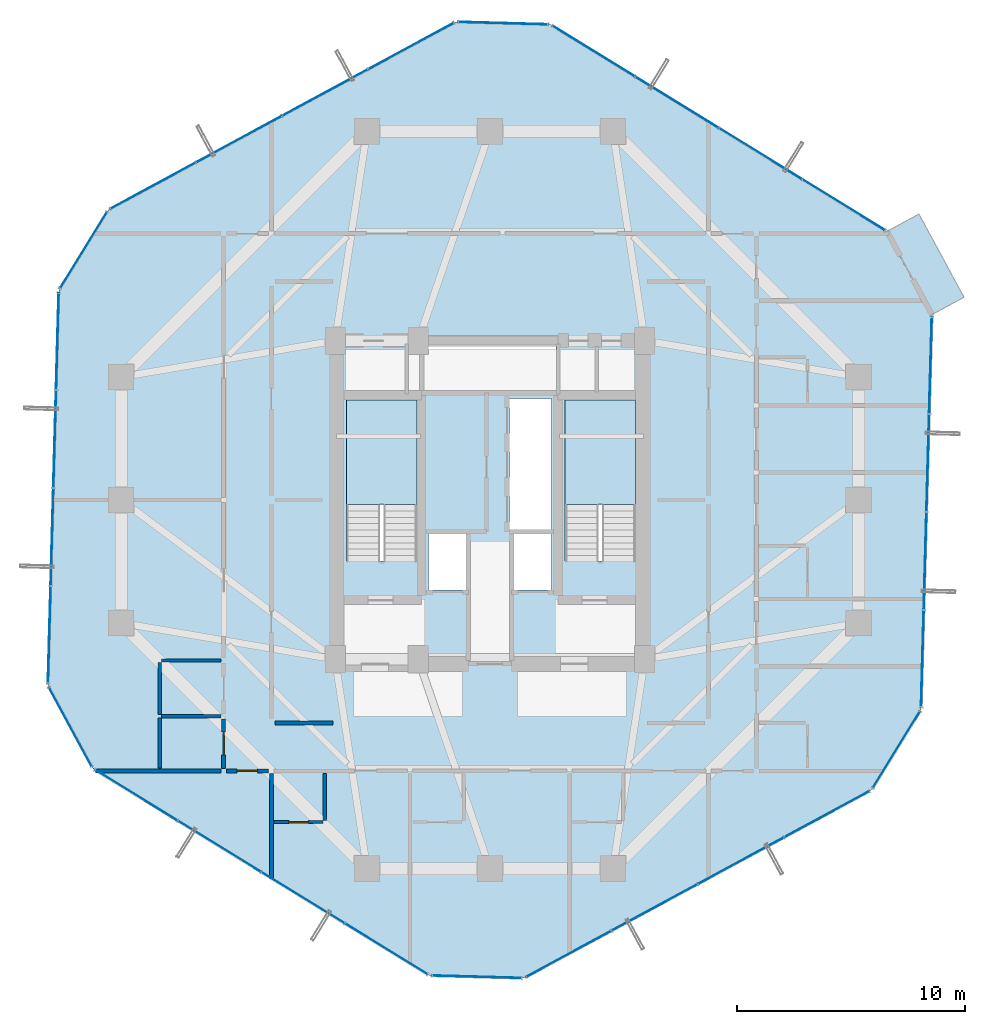
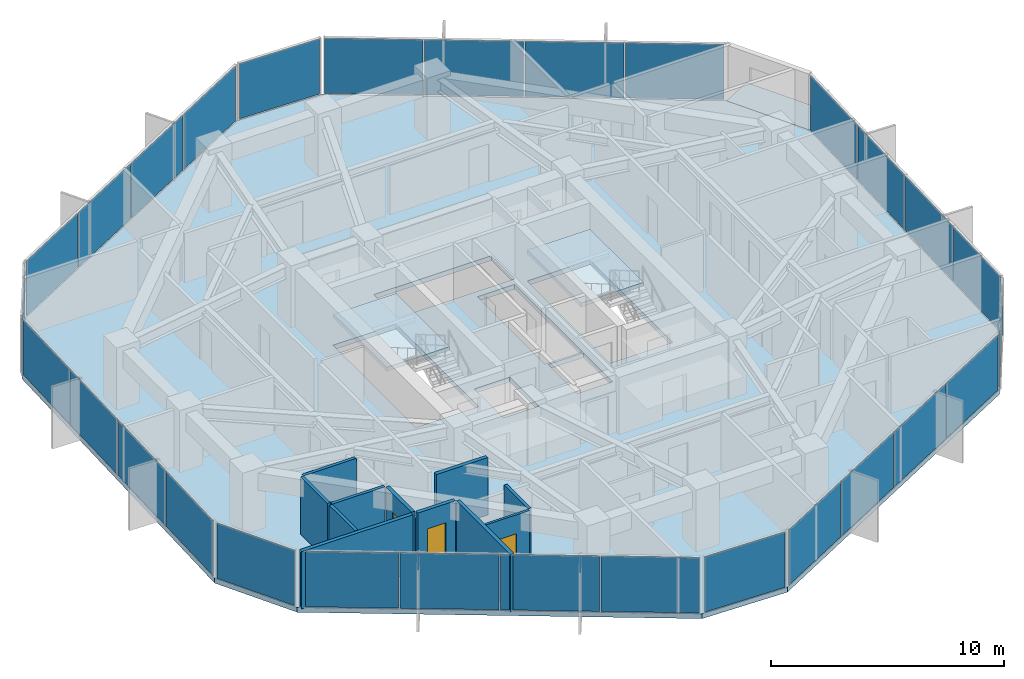
# One storey, part 25 of 30: 29 plates, 11 walls, 4 slabs, 3 doors, 3 openings, 13 elements without a shape of their own.
"""IFC4 building model written with IfcOpenShell, lengths in metres."""

from ifc_helpers import new_model, si_unit, direction, frame, frame_2d, origin, origin_2d, place, context, subcontext, project, spatial, polyline, rectangle, outline, extrude, source, transform, mapped, material, layer, layer_set, type_object, element, fill, aggregate, save


model = new_model("IFC4")

# Units and contexts
model_context = context("Model", 3, precision=1e-05, world=origin(), true_north=direction((0.0, 1.0)))
body_context = subcontext(model_context, "Body", "Model", "MODEL_VIEW")
ifc_project = project(units=[si_unit("LENGTHUNIT", "METRE"), si_unit("AREAUNIT", "SQUARE_METRE"), si_unit("VOLUMEUNIT", "CUBIC_METRE"), si_unit("PLANEANGLEUNIT", "RADIAN"), si_unit("MASSUNIT", "GRAM", prefix="KILO")], contexts=[model_context])

# Site, building, storey
site_placement = place(None, origin())
site = spatial("IfcSite", under=ifc_project, at=site_placement, CompositionType="ELEMENT")
building_placement = place(site_placement, origin())
building = spatial("IfcBuilding", under=site, at=building_placement, Name="Veraguas Prism Commons", CompositionType="ELEMENT")
storey_placement = place(building_placement, frame((0.0, 0.0, 123.0)))
storey = spatial("IfcBuildingStorey", under=building, at=storey_placement, Name="L34", CompositionType="ELEMENT", Elevation=123.0)

# Stair, slab
ifc_material_1 = material(Name="Precast concrete C45/55", Category="concrete")
stair_type = type_object("IfcStairType", Name="Dogleg Core Stair 1480W 20R 05", PredefinedType="HALF_TURN_STAIR", material=ifc_material_1)
stair_1_placement = place(storey_placement, origin())
stair_1 = element("IfcStair", 1, at=stair_1_placement, inside=storey, type_object=stair_type, Name="Protected Exit Stair ST-01 L34", PredefinedType="HALF_TURN_STAIR")
ifc_layer_1 = layer(ifc_material_1, 0.199951171875, Name="Precast Stair and Ramp Landing Slab 200", Category="concrete")
ifc_layer_set_1 = layer_set([ifc_layer_1], Name="Precast concrete C45/55")
slab_type_1 = type_object("IfcSlabType", Name="Precast Stair and Ramp Landing Slab 200", PredefinedType="LANDING", material=ifc_layer_set_1)
slab_1_placement = place(storey_placement, frame((0.0, 0.0, 1.425048828125)))
slab_1 = element("IfcSlab", 2, at=slab_1_placement, type_object=slab_type_1, Name="ST-05 Landing 1", PredefinedType="LANDING", context=body_context, shape_type="SweptSolid", body=[
    extrude(outline(polyline([(20.800048828125, 23.800048828125), (20.800048828125, 28.39990234375), (17.68994140625, 28.39990234375), (17.68994140625, 23.800048828125), (20.800048828125, 23.800048828125)])), origin(), (0.0, 0.0, 1.0), 0.199951171875),
])
aggregate(stair_1, [slab_1])

stair_2_placement = place(storey_placement, origin())
stair_2 = element("IfcStair", 3, at=stair_2_placement, inside=storey, type_object=stair_type, Name="Protected Exit Stair ST-02 L34", PredefinedType="HALF_TURN_STAIR")
slab_2_placement = place(storey_placement, frame((0.0, 0.0, 1.425048828125)))
slab_2 = element("IfcSlab", 4, at=slab_2_placement, type_object=slab_type_1, Name="ST-05 Landing 1", PredefinedType="LANDING", context=body_context, shape_type="SweptSolid", body=[
    extrude(outline(polyline([(30.39990234375, 23.800048828125), (30.39990234375, 28.39990234375), (27.2900390625, 28.39990234375), (27.2900390625, 23.800048828125), (30.39990234375, 23.800048828125)])), origin(), (0.0, 0.0, 1.0), 0.199951171875),
])
aggregate(stair_2, [slab_2])

# Slabs
ifc_material_2 = material(Name="Concrete C45/55", Category="concrete")
ifc_layer_2 = layer(ifc_material_2, 0.219970703125, Name="Recessed Loggia and Terrace Slab RC 220", Category="concrete")
ifc_layer_set_2 = layer_set([ifc_layer_2], Name="Concrete C45/55")
slab_type_2 = type_object("IfcSlabType", Name="Recessed Loggia and Terrace Slab RC 220", PredefinedType="FLOOR", material=ifc_layer_set_2)
slab_3_placement = place(storey_placement, frame((0.0, 0.0, -0.219970703125)))
element("IfcSlab", 5, at=slab_3_placement, inside=storey, type_object=slab_type_2, Name="Recessed Corner Loggia L34-C1", PredefinedType="FLOOR", context=body_context, shape_type="SweptSolid", body=[
    extrude(outline(polyline([(43.396728515625, 32.135498046875), (44.821533203125, 32.906494140625), (42.844970703125, 36.55908203125), (41.420166015625, 35.7880859375), (43.396728515625, 32.135498046875)])), origin(), (0.0, 0.0, 1.0), 0.219970703125),
])
ifc_layer_3 = layer(ifc_material_2, 0.25, Name="Tower Lower Residential Floor Slab RC 250", Category="concrete")
ifc_layer_set_3 = layer_set([ifc_layer_3], Name="Concrete C45/55")
slab_type_3 = type_object("IfcSlabType", Name="Tower Lower Residential Floor Slab RC 250", PredefinedType="FLOOR", material=ifc_layer_set_3)
slab_4_placement = place(storey_placement, frame((0.0, 0.0, -0.25)))
element("IfcSlab", 6, at=slab_4_placement, inside=storey, type_object=slab_type_3, Name="Tower Floor Slab L34", PredefinedType="FLOOR", context=body_context, shape_type="SweptSolid", body=[
    extrude(outline(polyline([(43.414306640625, 32.14501953125), (41.437744140625, 35.797607421875), (26.653564453125, 44.885986328125), (22.501953125, 45.00048828125), (7.239013671875, 36.740966796875), (5.064208984375, 33.202880859375), (4.585693359375, 15.85498046875), (6.562255859375, 12.202392578125), (21.346435546875, 3.114013671875), (25.498046875, 2.99951171875), (40.760986328125, 11.259033203125), (42.935791015625, 14.797119140625), (43.414306640625, 32.14501953125)]), holes=[polyline([(20.800048828125, 21.31005859375), (20.800048828125, 28.39990234375), (17.68994140625, 28.39990234375), (17.68994140625, 21.31005859375), (20.800048828125, 21.31005859375)]), polyline([(30.39990234375, 21.31005859375), (30.39990234375, 28.39990234375), (27.2900390625, 28.39990234375), (27.2900390625, 21.31005859375), (30.39990234375, 21.31005859375)]), polyline([(24.85009765625, 22.64990234375), (26.699951171875, 22.64990234375), (26.699951171875, 28.449951171875), (24.85009765625, 28.449951171875), (24.85009765625, 22.64990234375)]), polyline([(21.10009765625, 28.800048828125), (26.89990234375, 28.800048828125), (26.89990234375, 30.800048828125), (21.10009765625, 30.800048828125), (21.10009765625, 28.800048828125)]), polyline([(21.300048828125, 20.050048828125), (23.050048828125, 20.050048828125), (23.050048828125, 22.550048828125), (21.300048828125, 22.550048828125), (21.300048828125, 20.050048828125)]), polyline([(24.949951171875, 20.050048828125), (26.699951171875, 20.050048828125), (26.699951171875, 22.550048828125), (24.949951171875, 22.550048828125), (24.949951171875, 20.050048828125)])]), origin(), (0.0, 0.0, 1.0), 0.25),
])

# Curtain wall, plates
ifc_material_3 = material(Name="Anodised aluminium EN AW-6063 T6", Category="aluminium")
ifc_layer_4 = layer(ifc_material_3, 0.169921875, Name="Unitised Flush Curtain Wall Zone 2", Category="aluminium")
ifc_layer_set_4 = layer_set([ifc_layer_4], Name="Anodised aluminium EN AW-6063 T6")
curtain_wall_type = type_object("IfcCurtainWallType", Name="Unitised Flush Curtain Wall Zone 2", PredefinedType="NOTDEFINED", material=ifc_layer_set_4)
curtain_wall_1_placement = place(storey_placement, origin())
curtain_wall_1 = element("IfcCurtainWall", 7, at=curtain_wall_1_placement, inside=storey, type_object=curtain_wall_type, Name="Tower Facade Curtain Wall L34-F1", PredefinedType="NOTDEFINED")
ifc_material_4 = material(Name="Laminated low-e glass", Category="glass")
ifc_layer_5 = layer(ifc_material_4, 0.028076171875, Name="Unitised Double Low-E Glazed Panel 28", Category="glass")
ifc_layer_set_5 = layer_set([ifc_layer_5], Name="Laminated low-e glass")
plate_type = type_object("IfcPlateType", Name="Unitised Double Low-E Glazed Panel 28", PredefinedType="CURTAIN_PANEL", material=ifc_layer_set_5)
shared_shape_1 = source(origin(), body_context, "Body", "SweptSolid", [
    extrude(rectangle(XDim=4.218505859375, YDim=0.028076171875, at=origin_2d()), origin(), (0.0, 0.0, 1.0), 2.889892578125),
])
plate_1_placement = place(storey_placement, frame((39.53857421875, 36.965087890625, 0.05517578125), z_axis=(0.0, 0.0, 1.0), x_axis=(-0.851907959812, 0.523691538989, 0.0)))
plate_1 = element("IfcPlate", 8, at=plate_1_placement, type_object=plate_type, Name="CW-Z2 Panel 1.1", PredefinedType="CURTAIN_PANEL", context=body_context, shape_type="MappedRepresentation", body=[
    mapped(shared_shape_1, transform((0.0, 0.0, 0.0), scale=1.0)),
])
plate_2_placement = place(storey_placement, frame((28.552734375, 43.718505859375, 0.05517578125), z_axis=(0.0, 0.0, 1.0), x_axis=(-0.851907959812, 0.523691538989, 0.0)))
plate_2 = element("IfcPlate", 9, at=plate_2_placement, type_object=plate_type, Name="CW-Z2 Panel 4.1", PredefinedType="CURTAIN_PANEL", context=body_context, shape_type="MappedRepresentation", body=[
    mapped(shared_shape_1, transform((0.0, 0.0, 0.0), scale=1.0)),
])

curtain_wall_2_placement = place(storey_placement, origin())
curtain_wall_2 = element("IfcCurtainWall", 10, at=curtain_wall_2_placement, inside=storey, type_object=curtain_wall_type, Name="Tower Facade Curtain Wall L34-F2", PredefinedType="NOTDEFINED")
plate_3_placement = place(storey_placement, frame((20.541259765625, 43.939453125, 0.05517578125), z_axis=(0.0, 0.0, 1.0), x_axis=(-0.879484156418, -0.475928165389, 0.0)))
plate_3 = element("IfcPlate", 11, at=plate_3_placement, type_object=plate_type, Name="CW-Z2 Panel 1.1", PredefinedType="CURTAIN_PANEL", context=body_context, shape_type="MappedRepresentation", body=[
    mapped(shared_shape_1, transform((0.0, 0.0, 0.0), scale=1.0)),
])
plate_4_placement = place(storey_placement, frame((9.19970703125, 37.802001953125, 0.05517578125), z_axis=(0.0, 0.0, 1.0), x_axis=(-0.879484156418, -0.475928165389, 0.0)))
plate_4 = element("IfcPlate", 12, at=plate_4_placement, type_object=plate_type, Name="CW-Z2 Panel 4.1", PredefinedType="CURTAIN_PANEL", context=body_context, shape_type="MappedRepresentation", body=[
    mapped(shared_shape_1, transform((0.0, 0.0, 0.0), scale=1.0)),
])

curtain_wall_3_placement = place(storey_placement, origin())
curtain_wall_3 = element("IfcCurtainWall", 13, at=curtain_wall_3_placement, inside=storey, type_object=curtain_wall_type, Name="Tower Facade Curtain Wall L34-F3", PredefinedType="NOTDEFINED")
plate_5_placement = place(storey_placement, frame((5.002685546875, 30.974365234375, 0.05517578125), z_axis=(0.0, 0.0, 1.0), x_axis=(-0.027567473277, -0.999619944988, 0.0)))
plate_5 = element("IfcPlate", 14, at=plate_5_placement, type_object=plate_type, Name="CW-Z2 Panel 1.1", PredefinedType="CURTAIN_PANEL", context=body_context, shape_type="MappedRepresentation", body=[
    mapped(shared_shape_1, transform((0.0, 0.0, 0.0), scale=1.0)),
])
plate_6_placement = place(storey_placement, frame((4.647216796875, 18.08349609375, 0.05517578125), z_axis=(0.0, 0.0, 1.0), x_axis=(-0.027567473277, -0.999619944988, 0.0)))
plate_6 = element("IfcPlate", 15, at=plate_6_placement, type_object=plate_type, Name="CW-Z2 Panel 4.1", PredefinedType="CURTAIN_PANEL", context=body_context, shape_type="MappedRepresentation", body=[
    mapped(shared_shape_1, transform((0.0, 0.0, 0.0), scale=1.0)),
])

curtain_wall_4_placement = place(storey_placement, origin())
curtain_wall_4 = element("IfcCurtainWall", 16, at=curtain_wall_4_placement, inside=storey, type_object=curtain_wall_type, Name="Tower Facade Curtain Wall L34-F4", PredefinedType="NOTDEFINED")
plate_7_placement = place(storey_placement, frame((8.46142578125, 11.034912109375, 0.05517578125), z_axis=(0.0, 0.0, 1.0), x_axis=(0.851907959812, -0.523691538989, 0.0)))
plate_7 = element("IfcPlate", 17, at=plate_7_placement, type_object=plate_type, Name="CW-Z2 Panel 1.1", PredefinedType="CURTAIN_PANEL", context=body_context, shape_type="MappedRepresentation", body=[
    mapped(shared_shape_1, transform((0.0, 0.0, 0.0), scale=1.0)),
])
plate_8_placement = place(storey_placement, frame((19.447265625, 4.281494140625, 0.05517578125), z_axis=(0.0, 0.0, 1.0), x_axis=(0.851907959812, -0.523691538989, 0.0)))
plate_8 = element("IfcPlate", 18, at=plate_8_placement, type_object=plate_type, Name="CW-Z2 Panel 4.1", PredefinedType="CURTAIN_PANEL", context=body_context, shape_type="MappedRepresentation", body=[
    mapped(shared_shape_1, transform((0.0, 0.0, 0.0), scale=1.0)),
])

curtain_wall_5_placement = place(storey_placement, origin())
curtain_wall_5 = element("IfcCurtainWall", 19, at=curtain_wall_5_placement, inside=storey, type_object=curtain_wall_type, Name="Tower Facade Curtain Wall L34-F5", PredefinedType="NOTDEFINED")
plate_9_placement = place(storey_placement, frame((27.458740234375, 4.060546875, 0.05517578125), z_axis=(0.0, 0.0, 1.0), x_axis=(0.879484156418, 0.475928165389, 0.0)))
plate_9 = element("IfcPlate", 20, at=plate_9_placement, type_object=plate_type, Name="CW-Z2 Panel 1.1", PredefinedType="CURTAIN_PANEL", context=body_context, shape_type="MappedRepresentation", body=[
    mapped(shared_shape_1, transform((0.0, 0.0, 0.0), scale=1.0)),
])
plate_10_placement = place(storey_placement, frame((38.80029296875, 10.197998046875, 0.05517578125), z_axis=(0.0, 0.0, 1.0), x_axis=(0.879484156418, 0.475928165389, 0.0)))
plate_10 = element("IfcPlate", 21, at=plate_10_placement, type_object=plate_type, Name="CW-Z2 Panel 4.1", PredefinedType="CURTAIN_PANEL", context=body_context, shape_type="MappedRepresentation", body=[
    mapped(shared_shape_1, transform((0.0, 0.0, 0.0), scale=1.0)),
])

curtain_wall_6_placement = place(storey_placement, origin())
curtain_wall_6 = element("IfcCurtainWall", 22, at=curtain_wall_6_placement, inside=storey, type_object=curtain_wall_type, Name="Tower Facade Curtain Wall L34-F6", PredefinedType="NOTDEFINED")
plate_11_placement = place(storey_placement, frame((42.997314453125, 17.025634765625, 0.05517578125), z_axis=(0.0, 0.0, 1.0), x_axis=(0.027567473277, 0.999619944988, 0.0)))
plate_11 = element("IfcPlate", 23, at=plate_11_placement, type_object=plate_type, Name="CW-Z2 Panel 1.1", PredefinedType="CURTAIN_PANEL", context=body_context, shape_type="MappedRepresentation", body=[
    mapped(shared_shape_1, transform((0.0, 0.0, 0.0), scale=1.0)),
])
plate_12_placement = place(storey_placement, frame((43.352783203125, 29.91650390625, 0.05517578125), z_axis=(0.0, 0.0, 1.0), x_axis=(0.027567473277, 0.999619944988, 0.0)))
plate_12 = element("IfcPlate", 24, at=plate_12_placement, type_object=plate_type, Name="CW-Z2 Panel 4.1", PredefinedType="CURTAIN_PANEL", context=body_context, shape_type="MappedRepresentation", body=[
    mapped(shared_shape_1, transform((0.0, 0.0, 0.0), scale=1.0)),
])

# Plate
shared_shape_2 = source(origin(), body_context, "Body", "SweptSolid", [
    extrude(rectangle(XDim=4.24853515625, YDim=0.028076171875, at=origin_2d()), origin(), (0.0, 0.0, 1.0), 2.889892578125),
])
plate_13_placement = place(storey_placement, frame((35.880859375, 39.213623046875, 0.05517578125), z_axis=(0.0, 0.0, 1.0), x_axis=(-0.851907959812, 0.523691538989, 0.0)))
plate_13 = element("IfcPlate", 25, at=plate_13_placement, type_object=plate_type, Name="CW-Z2 Panel 2.1", PredefinedType="CURTAIN_PANEL", context=body_context, shape_type="MappedRepresentation", body=[
    mapped(shared_shape_2, transform((0.0, 0.0, 0.0), scale=1.0)),
])

plate_14_placement = place(storey_placement, frame((32.21044921875, 41.469970703125, 0.05517578125), z_axis=(0.0, 0.0, 1.0), x_axis=(-0.851907959812, 0.523691538989, 0.0)))
plate_14 = element("IfcPlate", 26, at=plate_14_placement, type_object=plate_type, Name="CW-Z2 Panel 3.1", PredefinedType="CURTAIN_PANEL", context=body_context, shape_type="MappedRepresentation", body=[
    mapped(shared_shape_2, transform((0.0, 0.0, 0.0), scale=1.0)),
])

aggregate(curtain_wall_1, [plate_1, plate_13, plate_14, plate_2])

plate_15_placement = place(storey_placement, frame((16.76513671875, 41.89599609375, 0.05517578125), z_axis=(0.0, 0.0, 1.0), x_axis=(-0.879484156418, -0.475928165389, 0.0)))
plate_15 = element("IfcPlate", 27, at=plate_15_placement, type_object=plate_type, Name="CW-Z2 Panel 2.1", PredefinedType="CURTAIN_PANEL", context=body_context, shape_type="MappedRepresentation", body=[
    mapped(shared_shape_2, transform((0.0, 0.0, 0.0), scale=1.0)),
])

plate_16_placement = place(storey_placement, frame((12.975830078125, 39.845458984375, 0.05517578125), z_axis=(0.0, 0.0, 1.0), x_axis=(-0.879484156418, -0.475928165389, 0.0)))
plate_16 = element("IfcPlate", 28, at=plate_16_placement, type_object=plate_type, Name="CW-Z2 Panel 3.1", PredefinedType="CURTAIN_PANEL", context=body_context, shape_type="MappedRepresentation", body=[
    mapped(shared_shape_2, transform((0.0, 0.0, 0.0), scale=1.0)),
])

aggregate(curtain_wall_2, [plate_3, plate_15, plate_16, plate_4])

plate_17_placement = place(storey_placement, frame((4.88427734375, 26.682373046875, 0.05517578125), z_axis=(0.0, 0.0, 1.0), x_axis=(-0.027567473277, -0.999619944988, 0.0)))
plate_17 = element("IfcPlate", 29, at=plate_17_placement, type_object=plate_type, Name="CW-Z2 Panel 2.1", PredefinedType="CURTAIN_PANEL", context=body_context, shape_type="MappedRepresentation", body=[
    mapped(shared_shape_2, transform((0.0, 0.0, 0.0), scale=1.0)),
])

plate_18_placement = place(storey_placement, frame((4.765380859375, 22.37548828125, 0.05517578125), z_axis=(0.0, 0.0, 1.0), x_axis=(-0.027567473277, -0.999619944988, 0.0)))
plate_18 = element("IfcPlate", 30, at=plate_18_placement, type_object=plate_type, Name="CW-Z2 Panel 3.1", PredefinedType="CURTAIN_PANEL", context=body_context, shape_type="MappedRepresentation", body=[
    mapped(shared_shape_2, transform((0.0, 0.0, 0.0), scale=1.0)),
])

aggregate(curtain_wall_3, [plate_5, plate_17, plate_18, plate_6])

plate_19_placement = place(storey_placement, frame((12.119140625, 8.786376953125, 0.05517578125), z_axis=(0.0, 0.0, 1.0), x_axis=(0.851907959812, -0.523691538989, 0.0)))
plate_19 = element("IfcPlate", 31, at=plate_19_placement, type_object=plate_type, Name="CW-Z2 Panel 2.1", PredefinedType="CURTAIN_PANEL", context=body_context, shape_type="MappedRepresentation", body=[
    mapped(shared_shape_2, transform((0.0, 0.0, 0.0), scale=1.0)),
])

plate_20_placement = place(storey_placement, frame((15.78955078125, 6.530029296875, 0.05517578125), z_axis=(0.0, 0.0, 1.0), x_axis=(0.851907959812, -0.523691538989, 0.0)))
plate_20 = element("IfcPlate", 32, at=plate_20_placement, type_object=plate_type, Name="CW-Z2 Panel 3.1", PredefinedType="CURTAIN_PANEL", context=body_context, shape_type="MappedRepresentation", body=[
    mapped(shared_shape_2, transform((0.0, 0.0, 0.0), scale=1.0)),
])

aggregate(curtain_wall_4, [plate_7, plate_19, plate_20, plate_8])

plate_21_placement = place(storey_placement, frame((31.23486328125, 6.10400390625, 0.05517578125), z_axis=(0.0, 0.0, 1.0), x_axis=(0.879484156418, 0.475928165389, 0.0)))
plate_21 = element("IfcPlate", 33, at=plate_21_placement, type_object=plate_type, Name="CW-Z2 Panel 2.1", PredefinedType="CURTAIN_PANEL", context=body_context, shape_type="MappedRepresentation", body=[
    mapped(shared_shape_2, transform((0.0, 0.0, 0.0), scale=1.0)),
])

plate_22_placement = place(storey_placement, frame((35.024169921875, 8.154541015625, 0.05517578125), z_axis=(0.0, 0.0, 1.0), x_axis=(0.879484156418, 0.475928165389, 0.0)))
plate_22 = element("IfcPlate", 34, at=plate_22_placement, type_object=plate_type, Name="CW-Z2 Panel 3.1", PredefinedType="CURTAIN_PANEL", context=body_context, shape_type="MappedRepresentation", body=[
    mapped(shared_shape_2, transform((0.0, 0.0, 0.0), scale=1.0)),
])

aggregate(curtain_wall_5, [plate_9, plate_21, plate_22, plate_10])

plate_23_placement = place(storey_placement, frame((43.11572265625, 21.317626953125, 0.05517578125), z_axis=(0.0, 0.0, 1.0), x_axis=(0.027567473277, 0.999619944988, 0.0)))
plate_23 = element("IfcPlate", 35, at=plate_23_placement, type_object=plate_type, Name="CW-Z2 Panel 2.1", PredefinedType="CURTAIN_PANEL", context=body_context, shape_type="MappedRepresentation", body=[
    mapped(shared_shape_2, transform((0.0, 0.0, 0.0), scale=1.0)),
])

plate_24_placement = place(storey_placement, frame((43.234619140625, 25.62451171875, 0.05517578125), z_axis=(0.0, 0.0, 1.0), x_axis=(0.027567473277, 0.999619944988, 0.0)))
plate_24 = element("IfcPlate", 36, at=plate_24_placement, type_object=plate_type, Name="CW-Z2 Panel 3.1", PredefinedType="CURTAIN_PANEL", context=body_context, shape_type="MappedRepresentation", body=[
    mapped(shared_shape_2, transform((0.0, 0.0, 0.0), scale=1.0)),
])

aggregate(curtain_wall_6, [plate_11, plate_23, plate_24, plate_12])

# Curtain wall, plate
curtain_wall_7_placement = place(storey_placement, origin())
curtain_wall_7 = element("IfcCurtainWall", 37, at=curtain_wall_7_placement, inside=storey, type_object=curtain_wall_type, Name="Chamfer Curtain Wall L34-C2", PredefinedType="NOTDEFINED")
shared_shape_3 = source(origin(), body_context, "Body", "SweptSolid", [
    extrude(rectangle(XDim=3.9130859375, YDim=0.028076171875, at=origin_2d()), origin(), (0.0, 0.0, 1.0), 2.889892578125),
])
plate_25_placement = place(storey_placement, frame((24.57763671875, 44.943115234375, 0.05517578125), z_axis=(0.0, 0.0, 1.0), x_axis=(-0.99962052214, 0.02754653728, 0.0)))
plate_25 = element("IfcPlate", 38, at=plate_25_placement, type_object=plate_type, Name="CW-Z2 Panel 1.1", PredefinedType="CURTAIN_PANEL", context=body_context, shape_type="MappedRepresentation", body=[
    mapped(shared_shape_3, transform((0.0, 0.0, 0.0), scale=1.0)),
])
aggregate(curtain_wall_7, [plate_25])

curtain_wall_8_placement = place(storey_placement, origin())
curtain_wall_8 = element("IfcCurtainWall", 39, at=curtain_wall_8_placement, inside=storey, type_object=curtain_wall_type, Name="Chamfer Curtain Wall L34-C3", PredefinedType="NOTDEFINED")
plate_26_placement = place(storey_placement, frame((6.151611328125, 34.971923828125, 0.05517578125), z_axis=(0.0, 0.0, 1.0), x_axis=(-0.52368410467, -0.85191252985, 0.0)))
plate_26 = element("IfcPlate", 40, at=plate_26_placement, type_object=plate_type, Name="CW-Z2 Panel 1.1", PredefinedType="CURTAIN_PANEL", context=body_context, shape_type="MappedRepresentation", body=[
    mapped(shared_shape_3, transform((0.0, 0.0, 0.0), scale=1.0)),
])
aggregate(curtain_wall_8, [plate_26])

curtain_wall_9_placement = place(storey_placement, origin())
curtain_wall_9 = element("IfcCurtainWall", 41, at=curtain_wall_9_placement, inside=storey, type_object=curtain_wall_type, Name="Chamfer Curtain Wall L34-C4", PredefinedType="NOTDEFINED")
plate_27_placement = place(storey_placement, frame((5.573974609375, 14.02880859375, 0.05517578125), z_axis=(0.0, 0.0, 1.0), x_axis=(0.475920490423, -0.879488309641, 0.0)))
plate_27 = element("IfcPlate", 42, at=plate_27_placement, type_object=plate_type, Name="CW-Z2 Panel 1.1", PredefinedType="CURTAIN_PANEL", context=body_context, shape_type="MappedRepresentation", body=[
    mapped(shared_shape_3, transform((0.0, 0.0, 0.0), scale=1.0)),
])
aggregate(curtain_wall_9, [plate_27])

curtain_wall_10_placement = place(storey_placement, origin())
curtain_wall_10 = element("IfcCurtainWall", 43, at=curtain_wall_10_placement, inside=storey, type_object=curtain_wall_type, Name="Chamfer Curtain Wall L34-C5", PredefinedType="NOTDEFINED")
plate_28_placement = place(storey_placement, frame((23.42236328125, 3.056884765625, 0.05517578125), z_axis=(0.0, 0.0, 1.0), x_axis=(0.99962052214, -0.02754653728, 0.0)))
plate_28 = element("IfcPlate", 44, at=plate_28_placement, type_object=plate_type, Name="CW-Z2 Panel 1.1", PredefinedType="CURTAIN_PANEL", context=body_context, shape_type="MappedRepresentation", body=[
    mapped(shared_shape_3, transform((0.0, 0.0, 0.0), scale=1.0)),
])
aggregate(curtain_wall_10, [plate_28])

curtain_wall_11_placement = place(storey_placement, origin())
curtain_wall_11 = element("IfcCurtainWall", 45, at=curtain_wall_11_placement, inside=storey, type_object=curtain_wall_type, Name="Chamfer Curtain Wall L34-C6", PredefinedType="NOTDEFINED")
plate_29_placement = place(storey_placement, frame((41.848388671875, 13.028076171875, 0.05517578125), z_axis=(0.0, 0.0, 1.0), x_axis=(0.52368410467, 0.85191252985, 0.0)))
plate_29 = element("IfcPlate", 46, at=plate_29_placement, type_object=plate_type, Name="CW-Z2 Panel 1.1", PredefinedType="CURTAIN_PANEL", context=body_context, shape_type="MappedRepresentation", body=[
    mapped(shared_shape_3, transform((0.0, 0.0, 0.0), scale=1.0)),
])
aggregate(curtain_wall_11, [plate_29])

# Walls
ifc_material_5 = material(Name="Autoclaved aerated masonry block 10 MPa", Category="masonry")
ifc_layer_6 = layer(ifc_material_5, 0.179931640625, Name="Corridor and Inter-Tenancy Partition 180", Category="masonry")
ifc_layer_set_6 = layer_set([ifc_layer_6], Name="Autoclaved aerated masonry block 10 MPa")
wall_type_1 = type_object("IfcWallType", Name="Corridor and Inter-Tenancy Partition 180", PredefinedType="PARTITIONING", material=ifc_layer_set_6)
wall_1_placement = place(storey_placement, frame((14.550048828125, 14.199951171875, 0.0), z_axis=(0.0, 0.0, 1.0), x_axis=(1.0, 0.0, 0.0)))
element("IfcWall", 47, at=wall_1_placement, inside=storey, type_object=wall_type_1, Name="WL-L34-IRWS", PredefinedType="PARTITIONING", context=body_context, shape_type="SweptSolid", body=[
    extrude(rectangle(XDim=2.550048828125, YDim=0.179931640625, at=frame_2d((1.27490234375, 0.0))), origin(), (0.0, 0.0, 1.0), 3.0),
])
wall_2_placement = place(storey_placement, frame((14.39990234375, 11.97998046875, 0.0), z_axis=(0.0, 0.0, 1.0), x_axis=(0.0, -1.0, 0.0)))
element("IfcWall", 48, at=wall_2_placement, inside=storey, type_object=wall_type_1, Name="WL-L34-PT001", PredefinedType="PARTITIONING", context=body_context, shape_type="SweptSolid", body=[
    extrude(rectangle(XDim=4.630859375, YDim=0.179931640625, at=frame_2d((2.3154296875, 0.0))), origin(), (0.0, 0.0, 1.0), 3.0),
])
wall_3_placement = place(storey_placement, frame((12.179931640625, 12.10009765625, 0.0), z_axis=(0.0, 0.0, 1.0), x_axis=(-1.0, 0.0, 0.0)))
element("IfcWall", 49, at=wall_3_placement, inside=storey, type_object=wall_type_1, Name="WL-L34-PT018", PredefinedType="PARTITIONING", context=body_context, shape_type="SweptSolid", body=[
    extrude(rectangle(XDim=5.508544921875, YDim=0.179931640625, at=frame_2d((2.75439453125, 0.0))), origin(), (0.0, 0.0, 1.0), 3.0),
])

# Wall, opening, door
wall_4_placement = place(storey_placement, frame((12.300048828125, 12.2099609375, 0.0), z_axis=(0.0, 0.0, 1.0), x_axis=(0.0, 1.0, 0.0)))
wall_4 = element("IfcWall", 50, at=wall_4_placement, inside=storey, type_object=wall_type_1, Name="WL-L34-PT020", PredefinedType="PARTITIONING", context=body_context, shape_type="SweptSolid", body=[
    extrude(rectangle(XDim=2.179931640625, YDim=0.179931640625, at=frame_2d((1.08984375, 0.0))), origin(), (0.0, 0.0, 1.0), 3.0),
])
opening_1_placement = place(wall_4_placement, frame((0.590087890625, 0.0, 0.0)))
opening_1 = element("IfcOpeningElement", 51, at=opening_1_placement, cuts=wall_4, Name="Opening DR-13", PredefinedType="OPENING", context=body_context, shape_type="SweptSolid", body=[
    extrude(rectangle(XDim=1.0, YDim=2.010009765625, at=frame_2d((0.5, 1.0048828125))), frame((0.0, 0.099853515625, 0.0), z_axis=(0.0, -1.0, 0.0), x_axis=(1.0, 0.0, 0.0)), (0.0, 0.0, 1.0), 0.199951171875),
])
ifc_material_6 = material(Name="Steel fire-rated door assembly", Category="steel")
door_type_1 = type_object("IfcDoorType", Name="Core Accessible WC and Clinic Fire Door 1000x2010", OperationType="NOTDEFINED", PredefinedType="DOOR", material=ifc_material_6)
shared_shape_4 = source(origin(), body_context, "Body", "SweptSolid", [
    extrude(rectangle(XDim=1.0, YDim=2.010009765625, at=frame_2d((0.5, 1.0048828125))), frame((0.0, 0.02490234375, 0.0), z_axis=(0.0, -1.0, 0.0), x_axis=(1.0, 0.0, 0.0)), (0.0, 0.0, 1.0), 0.050048828125),
])
door_1_placement = place(opening_1_placement, origin())
door_1 = element("IfcDoor", 52, at=door_1_placement, inside=storey, type_object=door_type_1, Name="Public WC L34 Door", OperationType="SINGLE_SWING_LEFT", OverallHeight=2.010009765625, OverallWidth=1.0, PredefinedType="DOOR", context=body_context, shape_type="MappedRepresentation", body=[
    mapped(shared_shape_4, transform((0.0, 0.0, 0.0), scale=1.0)),
])
fill(opening_1, door_1)

wall_5_placement = place(storey_placement, frame((12.419921875, 12.10009765625, 0.0), z_axis=(0.0, 0.0, 1.0), x_axis=(1.0, 0.0, 0.0)))
wall_5 = element("IfcWall", 53, at=wall_5_placement, inside=storey, type_object=wall_type_1, Name="WL-L34-PT048", PredefinedType="PARTITIONING", context=body_context, shape_type="SweptSolid", body=[
    extrude(rectangle(XDim=1.860107421875, YDim=0.179931640625, at=frame_2d((0.93017578125, 0.0))), origin(), (0.0, 0.0, 1.0), 3.0),
])
opening_2_placement = place(wall_5_placement, frame((0.47998046875, 0.0, 0.0)))
opening_2 = element("IfcOpeningElement", 54, at=opening_2_placement, cuts=wall_5, Name="Opening DR-14", PredefinedType="OPENING", context=body_context, shape_type="SweptSolid", body=[
    extrude(rectangle(XDim=0.89990234375, YDim=2.010009765625, at=frame_2d((0.449951171875, 1.0048828125))), frame((0.0, 0.099853515625, 0.0), z_axis=(0.0, -1.0, 0.0), x_axis=(1.0, 0.0, 0.0)), (0.0, 0.0, 1.0), 0.199951171875),
])
door_type_2 = type_object("IfcDoorType", Name="Core Service Room Fire Door 900x2010", OperationType="NOTDEFINED", PredefinedType="DOOR", material=ifc_material_6)
shared_shape_5 = source(origin(), body_context, "Body", "SweptSolid", [
    extrude(rectangle(XDim=0.89990234375, YDim=2.010009765625, at=frame_2d((0.449951171875, 1.0048828125))), frame((0.0, 0.02490234375, 0.0), z_axis=(0.0, -1.0, 0.0), x_axis=(1.0, 0.0, 0.0)), (0.0, 0.0, 1.0), 0.050048828125),
])
door_2_placement = place(opening_2_placement, origin())
door_2 = element("IfcDoor", 55, at=door_2_placement, inside=storey, type_object=door_type_2, Name="Corner Study SW Door", OperationType="SINGLE_SWING_RIGHT", OverallHeight=2.010009765625, OverallWidth=0.89990234375, PredefinedType="DOOR", context=body_context, shape_type="MappedRepresentation", body=[
    mapped(shared_shape_5, transform((0.0, 0.0, 0.0), scale=1.0)),
])
fill(opening_2, door_2)

ifc_material_7 = material(Name="Lightweight acoustic gypsum board")
ifc_layer_7 = layer(ifc_material_7, 0.125, Name="Internal Apartment Room Partition 125")
ifc_layer_set_7 = layer_set([ifc_layer_7], Name="Lightweight acoustic gypsum board")
wall_type_2 = type_object("IfcWallType", Name="Internal Apartment Room Partition 125", PredefinedType="PARTITIONING", material=ifc_layer_set_7)
wall_6_placement = place(storey_placement, frame((14.52001953125, 9.85009765625, 0.0), z_axis=(0.0, 0.0, 1.0), x_axis=(1.0, 0.0, 0.0)))
wall_6 = element("IfcWall", 56, at=wall_6_placement, inside=storey, type_object=wall_type_2, Name="WL-L34-PT005", PredefinedType="PARTITIONING", context=body_context, shape_type="SweptSolid", body=[
    extrude(rectangle(XDim=2.14990234375, YDim=0.125, at=frame_2d((1.074951171875, 0.0))), origin(), (0.0, 0.0, 1.0), 3.0),
])
opening_3_placement = place(wall_6_placement, frame((0.64501953125, 0.0, 0.0)))
opening_3 = element("IfcOpeningElement", 57, at=opening_3_placement, cuts=wall_6, Name="Opening DR-03", PredefinedType="OPENING", context=body_context, shape_type="SweptSolid", body=[
    extrude(rectangle(XDim=0.860107421875, YDim=2.010009765625, at=frame_2d((0.43017578125, 1.0048828125))), frame((0.0, 0.072509765625, 0.0), z_axis=(0.0, -1.0, 0.0), x_axis=(1.0, 0.0, 0.0)), (0.0, 0.0, 1.0), 0.14501953125),
])
ifc_material_8 = material(Name="Timber moisture-resistant leaf", Category="wood")
door_type_3 = type_object("IfcDoorType", Name="Internal Bathroom Door 860x2010", OperationType="NOTDEFINED", PredefinedType="DOOR", material=ifc_material_8)
shared_shape_6 = source(origin(), body_context, "Body", "SweptSolid", [
    extrude(rectangle(XDim=0.860107421875, YDim=2.010009765625, at=frame_2d((0.43017578125, 1.0048828125))), frame((0.0, 0.02490234375, 0.0), z_axis=(0.0, -1.0, 0.0), x_axis=(1.0, 0.0, 0.0)), (0.0, 0.0, 1.0), 0.050048828125),
])
door_3_placement = place(opening_3_placement, origin())
door_3 = element("IfcDoor", 58, at=door_3_placement, inside=storey, type_object=door_type_3, Name="Studio 34A Bathroom Door", OperationType="SINGLE_SWING_RIGHT", OverallHeight=2.010009765625, OverallWidth=0.860107421875, PredefinedType="DOOR", context=body_context, shape_type="MappedRepresentation", body=[
    mapped(shared_shape_6, transform((0.0, 0.0, 0.0), scale=1.0)),
])
fill(opening_3, door_3)

# Walls
ifc_layer_8 = layer(ifc_material_7, 0.14990234375, Name="Wet Room and Clinic Acoustic Partition 150")
ifc_layer_set_8 = layer_set([ifc_layer_8], Name="Lightweight acoustic gypsum board")
wall_type_3 = type_object("IfcWallType", Name="Wet Room and Clinic Acoustic Partition 150", PredefinedType="PARTITIONING", material=ifc_layer_set_8)
wall_7_placement = place(storey_placement, frame((16.75, 11.97998046875, 0.0), z_axis=(0.0, 0.0, 1.0), x_axis=(0.0, -1.0, 0.0)))
element("IfcWall", 59, at=wall_7_placement, inside=storey, type_object=wall_type_3, Name="WL-L34-PT004", PredefinedType="PARTITIONING", context=body_context, shape_type="SweptSolid", body=[
    extrude(rectangle(XDim=2.050048828125, YDim=0.14990234375, at=frame_2d((1.02490234375, 0.0))), origin(), (0.0, 0.0, 1.0), 3.0),
])
for number, where, z_axis, x_axis, name in (
    (60, (12.179931640625, 14.5, 0.0), (0.0, 0.0, 1.0), (-1.0, 0.0, 0.0), "WL-L34-PT024"),
    (61, (12.179931640625, 16.949951171875, 0.0), (0.0, 0.0, 1.0), (-1.0, 0.0, 0.0), "WL-L34-PT025"),
):
    element("IfcWall", number, at=place(storey_placement, frame(where, z_axis=z_axis, x_axis=x_axis)), inside=storey, type_object=wall_type_3, Name=name, PredefinedType="PARTITIONING", context=body_context, shape_type="SweptSolid", body=[
        extrude(rectangle(XDim=2.599853515625, YDim=0.14990234375, at=frame_2d((1.2998046875, 0.0))), origin(), (0.0, 0.0, 1.0), 3.0),
    ])
wall_8_placement = place(storey_placement, frame((9.5, 12.219970703125, 0.0), z_axis=(0.0, 0.0, 1.0), x_axis=(0.0, 1.0, 0.0)))
element("IfcWall", 62, at=wall_8_placement, inside=storey, type_object=wall_type_3, Name="WL-L34-PT026", PredefinedType="PARTITIONING", context=body_context, shape_type="SweptSolid", body=[
    extrude(rectangle(XDim=2.199951171875, YDim=0.14990234375, at=frame_2d((1.10009765625, 0.0))), origin(), (0.0, 0.0, 1.0), 3.0),
])
wall_9_placement = place(storey_placement, frame((9.5, 14.580078125, 0.0), z_axis=(0.0, 0.0, 1.0), x_axis=(0.0, 1.0, 0.0)))
element("IfcWall", 63, at=wall_9_placement, inside=storey, type_object=wall_type_3, Name="WL-L34-PT027", PredefinedType="PARTITIONING", context=body_context, shape_type="SweptSolid", body=[
    extrude(rectangle(XDim=2.2900390625, YDim=0.14990234375, at=frame_2d((1.14501953125, 0.0))), origin(), (0.0, 0.0, 1.0), 3.0),
])

save(model, "model.ifc")
